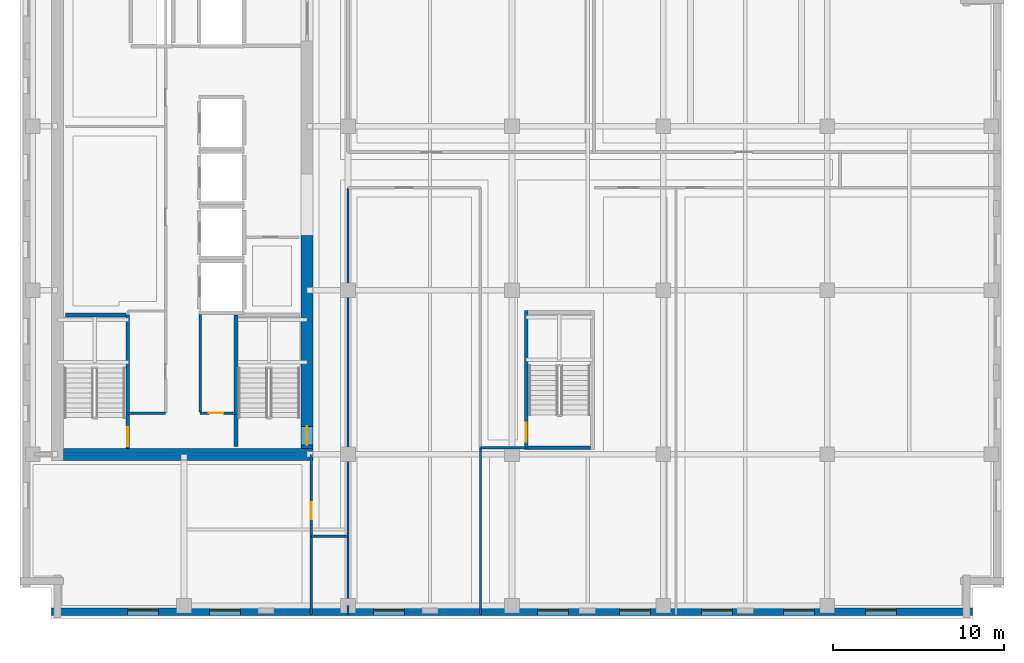
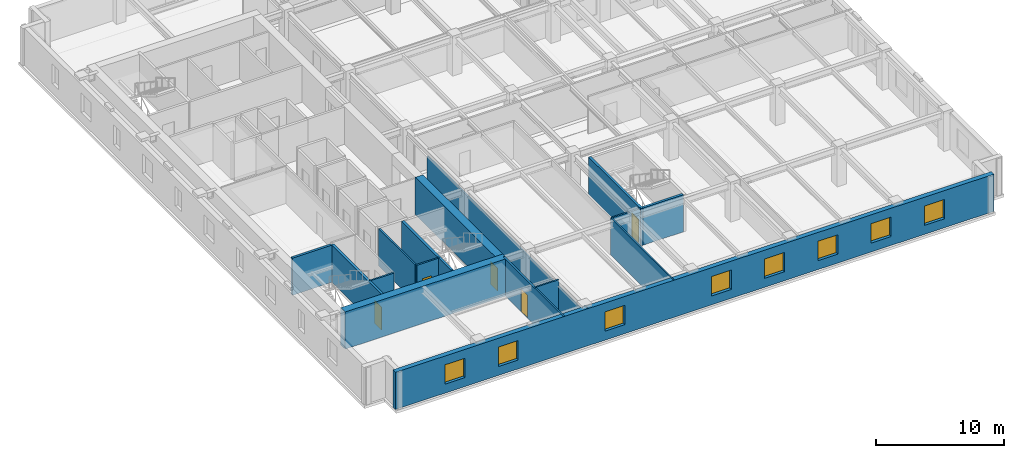
# One storey, part 3 of 14: 17 walls, 8 windows, 5 doors, 13 openings.
"""IFC4 building model written with IfcOpenShell, lengths in metres."""

from ifc_helpers import new_model, si_unit, direction, frame, frame_2d, origin, place, context, subcontext, project, spatial, rectangle, extrude, material, layer, layer_set, type_object, element, fill, save


model = new_model("IFC4")

# Units and contexts
model_context = context("Model", 3, precision=1e-05, world=origin(), true_north=direction((0.0, 1.0)))
body_context = subcontext(model_context, "Body", "Model", "MODEL_VIEW")
ifc_project = project(units=[si_unit("LENGTHUNIT", "METRE"), si_unit("AREAUNIT", "SQUARE_METRE"), si_unit("VOLUMEUNIT", "CUBIC_METRE"), si_unit("PLANEANGLEUNIT", "RADIAN"), si_unit("MASSUNIT", "GRAM", prefix="KILO")], contexts=[model_context])

# Site, building, storey
site_placement = place(None, origin())
site = spatial("IfcSite", under=ifc_project, at=site_placement, CompositionType="ELEMENT")
building_placement = place(site_placement, origin())
building = spatial("IfcBuilding", under=site, at=building_placement, Name="Norrvale University Quadrangle", CompositionType="ELEMENT")
storey_placement = place(building_placement, frame((0.0, 0.0, 218.0)))
storey = spatial("IfcBuildingStorey", under=building, at=storey_placement, Name="L55", CompositionType="ELEMENT", Elevation=218.0)

# Wall, openings, windows
ifc_material_1 = material(Name="Buff Norman Clay Brick Masonry", Category="masonry")
ifc_layer_1 = layer(ifc_material_1, 0.419921875, Name="Buff Norman Clay Brick Masonry")
ifc_layer_set_1 = layer_set([ifc_layer_1], Name="Buff Norman Clay Brick Masonry")
wall_type_1 = type_object("IfcWallType", Name="Wall Buff Brick 420", PredefinedType="SOLIDWALL", material=ifc_layer_set_1)
wall_1_placement = place(storey_placement, frame((1.840087890625, 0.389892578125, 0.0), z_axis=(0.0, 0.0, 1.0), x_axis=(1.0, 0.0, 0.0)))
wall_1 = element("IfcWall", 1, at=wall_1_placement, inside=storey, type_object=wall_type_1, Name="Exterior Brick Facade Wall L55-01.1", PredefinedType="SOLIDWALL", context=body_context, shape_type="SweptSolid", body=[
    extrude(rectangle(XDim=53.919921875, YDim=0.419921875, at=frame_2d((26.9599609375, 0.0))), origin(), (0.0, 0.0, 1.0), 3.5400390625),
])
opening_1_placement = place(wall_1_placement, frame((4.4599609375, 0.0, 0.85009765625)))
opening_1 = element("IfcOpeningElement", 2, at=opening_1_placement, cuts=wall_1, Name="Opening W01", PredefinedType="OPENING", context=body_context, shape_type="SweptSolid", body=[
    extrude(rectangle(XDim=1.800048828125, YDim=1.85009765625, at=frame_2d((0.89990234375, 0.925048828125))), frame((0.0, 0.221923828125, 0.0), z_axis=(0.0, -1.0, 0.0), x_axis=(1.0, 0.0, 0.0)), (0.0, 0.0, 1.0), 0.44384765625),
])
opening_2_placement = place(wall_1_placement, frame((9.260009765625, 0.0, 0.85009765625)))
opening_2 = element("IfcOpeningElement", 3, at=opening_2_placement, cuts=wall_1, Name="Opening W01", PredefinedType="OPENING", context=body_context, shape_type="SweptSolid", body=[
    extrude(rectangle(XDim=1.800048828125, YDim=1.85009765625, at=frame_2d((0.89990234375, 0.925048828125))), frame((0.0, 0.221923828125, 0.0), z_axis=(0.0, -1.0, 0.0), x_axis=(1.0, 0.0, 0.0)), (0.0, 0.0, 1.0), 0.44384765625),
])
opening_3_placement = place(wall_1_placement, frame((18.860107421875, 0.0, 0.85009765625)))
opening_3 = element("IfcOpeningElement", 4, at=opening_3_placement, cuts=wall_1, Name="Opening W01", PredefinedType="OPENING", context=body_context, shape_type="SweptSolid", body=[
    extrude(rectangle(XDim=1.800048828125, YDim=1.85009765625, at=frame_2d((0.89990234375, 0.925048828125))), frame((0.0, 0.221923828125, 0.0), z_axis=(0.0, -1.0, 0.0), x_axis=(1.0, 0.0, 0.0)), (0.0, 0.0, 1.0), 0.44384765625),
])
opening_4_placement = place(wall_1_placement, frame((28.4599609375, 0.0, 0.85009765625)))
opening_4 = element("IfcOpeningElement", 5, at=opening_4_placement, cuts=wall_1, Name="Opening W01", PredefinedType="OPENING", context=body_context, shape_type="SweptSolid", body=[
    extrude(rectangle(XDim=1.800048828125, YDim=1.85009765625, at=frame_2d((0.89990234375, 0.925048828125))), frame((0.0, 0.221923828125, 0.0), z_axis=(0.0, -1.0, 0.0), x_axis=(1.0, 0.0, 0.0)), (0.0, 0.0, 1.0), 0.44384765625),
])
opening_5_placement = place(wall_1_placement, frame((33.260009765625, 0.0, 0.85009765625)))
opening_5 = element("IfcOpeningElement", 6, at=opening_5_placement, cuts=wall_1, Name="Opening W01", PredefinedType="OPENING", context=body_context, shape_type="SweptSolid", body=[
    extrude(rectangle(XDim=1.800048828125, YDim=1.85009765625, at=frame_2d((0.89990234375, 0.925048828125))), frame((0.0, 0.221923828125, 0.0), z_axis=(0.0, -1.0, 0.0), x_axis=(1.0, 0.0, 0.0)), (0.0, 0.0, 1.0), 0.44384765625),
])
opening_6_placement = place(wall_1_placement, frame((38.06005859375, 0.0, 0.85009765625)))
opening_6 = element("IfcOpeningElement", 7, at=opening_6_placement, cuts=wall_1, Name="Opening W01", PredefinedType="OPENING", context=body_context, shape_type="SweptSolid", body=[
    extrude(rectangle(XDim=1.800048828125, YDim=1.85009765625, at=frame_2d((0.89990234375, 0.925048828125))), frame((0.0, 0.221923828125, 0.0), z_axis=(0.0, -1.0, 0.0), x_axis=(1.0, 0.0, 0.0)), (0.0, 0.0, 1.0), 0.44384765625),
])
opening_7_placement = place(wall_1_placement, frame((42.860107421875, 0.0, 0.85009765625)))
opening_7 = element("IfcOpeningElement", 8, at=opening_7_placement, cuts=wall_1, Name="Opening W01", PredefinedType="OPENING", context=body_context, shape_type="SweptSolid", body=[
    extrude(rectangle(XDim=1.800048828125, YDim=1.85009765625, at=frame_2d((0.89990234375, 0.925048828125))), frame((0.0, 0.221923828125, 0.0), z_axis=(0.0, -1.0, 0.0), x_axis=(1.0, 0.0, 0.0)), (0.0, 0.0, 1.0), 0.44384765625),
])
opening_8_placement = place(wall_1_placement, frame((47.659912109375, 0.0, 0.85009765625)))
opening_8 = element("IfcOpeningElement", 9, at=opening_8_placement, cuts=wall_1, Name="Opening W01", PredefinedType="OPENING", context=body_context, shape_type="SweptSolid", body=[
    extrude(rectangle(XDim=1.800048828125, YDim=1.85009765625, at=frame_2d((0.89990234375, 0.925048828125))), frame((0.0, 0.221923828125, 0.0), z_axis=(0.0, -1.0, 0.0), x_axis=(1.0, 0.0, 0.0)), (0.0, 0.0, 1.0), 0.44384765625),
])
ifc_material_2 = material(Name="Triple Low-E Argon Glazing", Category="glass")
window_type = type_object("IfcWindowType", Name="Window Academic 1800x2300", PartitioningType="DOUBLE_PANEL_VERTICAL", PredefinedType="WINDOW", material=ifc_material_2)
window_1_placement = place(opening_1_placement, origin())
window_1 = element("IfcWindow", 10, at=window_1_placement, inside=storey, type_object=window_type, Name="Window Academic 1800x2300 WIN-L55-E01-1-01", OverallHeight=1.85009765625, OverallWidth=1.800048828125, PartitioningType="DOUBLE_PANEL_VERTICAL", PredefinedType="WINDOW", context=body_context, shape_type="SweptSolid", body=[
    extrude(rectangle(XDim=1.800048828125, YDim=1.85009765625, at=frame_2d((0.89990234375, 0.925048828125))), frame((0.0, 0.110107421875, 0.0), z_axis=(0.0, -1.0, 0.0), x_axis=(1.0, 0.0, 0.0)), (0.0, 0.0, 1.0), 0.06005859375),
])
fill(opening_1, window_1)
window_2_placement = place(opening_2_placement, origin())
window_2 = element("IfcWindow", 11, at=window_2_placement, inside=storey, type_object=window_type, Name="Window Academic 1800x2300 WIN-L55-E01-1-02", OverallHeight=1.85009765625, OverallWidth=1.800048828125, PartitioningType="DOUBLE_PANEL_VERTICAL", PredefinedType="WINDOW", context=body_context, shape_type="SweptSolid", body=[
    extrude(rectangle(XDim=1.800048828125, YDim=1.85009765625, at=frame_2d((0.89990234375, 0.925048828125))), frame((0.0, 0.110107421875, 0.0), z_axis=(0.0, -1.0, 0.0), x_axis=(1.0, 0.0, 0.0)), (0.0, 0.0, 1.0), 0.06005859375),
])
fill(opening_2, window_2)
window_3_placement = place(opening_3_placement, origin())
window_3 = element("IfcWindow", 12, at=window_3_placement, inside=storey, type_object=window_type, Name="Window Academic 1800x2300 WIN-L55-E01-1-03", OverallHeight=1.85009765625, OverallWidth=1.800048828125, PartitioningType="DOUBLE_PANEL_VERTICAL", PredefinedType="WINDOW", context=body_context, shape_type="SweptSolid", body=[
    extrude(rectangle(XDim=1.800048828125, YDim=1.85009765625, at=frame_2d((0.89990234375, 0.925048828125))), frame((0.0, 0.110107421875, 0.0), z_axis=(0.0, -1.0, 0.0), x_axis=(1.0, 0.0, 0.0)), (0.0, 0.0, 1.0), 0.06005859375),
])
fill(opening_3, window_3)
window_4_placement = place(opening_4_placement, origin())
window_4 = element("IfcWindow", 13, at=window_4_placement, inside=storey, type_object=window_type, Name="Window Academic 1800x2300 WIN-L55-E01-1-04", OverallHeight=1.85009765625, OverallWidth=1.800048828125, PartitioningType="DOUBLE_PANEL_VERTICAL", PredefinedType="WINDOW", context=body_context, shape_type="SweptSolid", body=[
    extrude(rectangle(XDim=1.800048828125, YDim=1.85009765625, at=frame_2d((0.89990234375, 0.925048828125))), frame((0.0, 0.110107421875, 0.0), z_axis=(0.0, -1.0, 0.0), x_axis=(1.0, 0.0, 0.0)), (0.0, 0.0, 1.0), 0.06005859375),
])
fill(opening_4, window_4)
window_5_placement = place(opening_5_placement, origin())
window_5 = element("IfcWindow", 14, at=window_5_placement, inside=storey, type_object=window_type, Name="Window Academic 1800x2300 WIN-L55-E01-1-05", OverallHeight=1.85009765625, OverallWidth=1.800048828125, PartitioningType="DOUBLE_PANEL_VERTICAL", PredefinedType="WINDOW", context=body_context, shape_type="SweptSolid", body=[
    extrude(rectangle(XDim=1.800048828125, YDim=1.85009765625, at=frame_2d((0.89990234375, 0.925048828125))), frame((0.0, 0.110107421875, 0.0), z_axis=(0.0, -1.0, 0.0), x_axis=(1.0, 0.0, 0.0)), (0.0, 0.0, 1.0), 0.06005859375),
])
fill(opening_5, window_5)
window_6_placement = place(opening_6_placement, origin())
window_6 = element("IfcWindow", 15, at=window_6_placement, inside=storey, type_object=window_type, Name="Window Academic 1800x2300 WIN-L55-E01-1-06", OverallHeight=1.85009765625, OverallWidth=1.800048828125, PartitioningType="DOUBLE_PANEL_VERTICAL", PredefinedType="WINDOW", context=body_context, shape_type="SweptSolid", body=[
    extrude(rectangle(XDim=1.800048828125, YDim=1.85009765625, at=frame_2d((0.89990234375, 0.925048828125))), frame((0.0, 0.110107421875, 0.0), z_axis=(0.0, -1.0, 0.0), x_axis=(1.0, 0.0, 0.0)), (0.0, 0.0, 1.0), 0.06005859375),
])
fill(opening_6, window_6)
window_7_placement = place(opening_7_placement, origin())
window_7 = element("IfcWindow", 16, at=window_7_placement, inside=storey, type_object=window_type, Name="Window Academic 1800x2300 WIN-L55-E01-1-07", OverallHeight=1.85009765625, OverallWidth=1.800048828125, PartitioningType="DOUBLE_PANEL_VERTICAL", PredefinedType="WINDOW", context=body_context, shape_type="SweptSolid", body=[
    extrude(rectangle(XDim=1.800048828125, YDim=1.85009765625, at=frame_2d((0.89990234375, 0.925048828125))), frame((0.0, 0.110107421875, 0.0), z_axis=(0.0, -1.0, 0.0), x_axis=(1.0, 0.0, 0.0)), (0.0, 0.0, 1.0), 0.06005859375),
])
fill(opening_7, window_7)
window_8_placement = place(opening_8_placement, origin())
window_8 = element("IfcWindow", 17, at=window_8_placement, inside=storey, type_object=window_type, Name="Window Academic 1800x2300 WIN-L55-E01-1-08", OverallHeight=1.85009765625, OverallWidth=1.800048828125, PartitioningType="DOUBLE_PANEL_VERTICAL", PredefinedType="WINDOW", context=body_context, shape_type="SweptSolid", body=[
    extrude(rectangle(XDim=1.800048828125, YDim=1.85009765625, at=frame_2d((0.89990234375, 0.925048828125))), frame((0.0, 0.110107421875, 0.0), z_axis=(0.0, -1.0, 0.0), x_axis=(1.0, 0.0, 0.0)), (0.0, 0.0, 1.0), 0.06005859375),
])
fill(opening_8, window_8)

# Wall
ifc_material_3 = material(Name="Concrete C60/75", Category="concrete")
ifc_layer_2 = layer(ifc_material_3, 0.699951171875, Name="Concrete C60/75")
ifc_layer_set_2 = layer_set([ifc_layer_2], Name="Concrete C60/75")
wall_type_2 = type_object("IfcWallType", Name="Wall Core 700", PredefinedType="SHEAR", material=ifc_layer_set_2)
wall_2_placement = place(storey_placement, frame((2.550048828125, 9.60009765625, 0.0), z_axis=(0.0, 0.0, 1.0), x_axis=(1.0, 0.0, 0.0)))
element("IfcWall", 18, at=wall_2_placement, inside=storey, type_object=wall_type_2, Name="Tower Core Shear Wall L55-S", PredefinedType="SHEAR", context=body_context, shape_type="SweptSolid", body=[
    extrude(rectangle(XDim=14.599853515625, YDim=0.699951171875, at=frame_2d((7.2998046875, 0.0))), origin(), (0.0, 0.0, 1.0), 3.5400390625),
])

# Wall, opening, door
wall_3_placement = place(storey_placement, frame((16.800048828125, 9.949951171875, 0.0), z_axis=(0.0, 0.0, 1.0), x_axis=(0.0, 1.0, 0.0)))
wall_3 = element("IfcWall", 19, at=wall_3_placement, inside=storey, type_object=wall_type_2, Name="Tower Core Shear Wall L55-E1", PredefinedType="SHEAR", context=body_context, shape_type="SweptSolid", body=[
    extrude(rectangle(XDim=12.449951171875, YDim=0.699951171875, at=frame_2d((6.22509765625, 0.0))), origin(), (0.0, 0.0, 1.0), 3.5400390625),
])
opening_9_placement = place(wall_3_placement, frame((0.18994140625, 0.0, 0.0)))
opening_9 = element("IfcOpeningElement", 20, at=opening_9_placement, cuts=wall_3, Name="Opening D02", PredefinedType="OPENING", context=body_context, shape_type="SweptSolid", body=[
    extrude(rectangle(XDim=1.10009765625, YDim=2.199951171875, at=frame_2d((0.550048828125, 1.10009765625))), frame((0.0, 0.362060546875, 0.0), z_axis=(0.0, -1.0, 0.0), x_axis=(1.0, 0.0, 0.0)), (0.0, 0.0, 1.0), 0.723876953125),
])
ifc_material_4 = material(Name="Hollow Steel 350W Fire Door", Category="steel")
door_type_1 = type_object("IfcDoorType", Name="Door Stair Exit 1100x2200", OperationType="NOTDEFINED", PredefinedType="DOOR", material=ifc_material_4)
door_1_placement = place(opening_9_placement, origin())
door_1 = element("IfcDoor", 21, at=door_1_placement, inside=storey, type_object=door_type_1, Name="Door Stair Exit 1100x2200 DR-L55-ST03", OperationType="SINGLE_SWING_LEFT", OverallHeight=2.199951171875, OverallWidth=1.10009765625, PredefinedType="DOOR", context=body_context, shape_type="SweptSolid", body=[
    extrude(rectangle(XDim=1.10009765625, YDim=2.199951171875, at=frame_2d((0.550048828125, 1.10009765625))), frame((0.0, 0.02490234375, 0.0), z_axis=(0.0, -1.0, 0.0), x_axis=(1.0, 0.0, 0.0)), (0.0, 0.0, 1.0), 0.050048828125),
])
fill(opening_9, door_1)

# Walls
ifc_material_5 = material(Name="Standard Academic Gypsum Partition")
ifc_layer_3 = layer(ifc_material_5, 0.125, Name="Standard Academic Gypsum Partition")
ifc_layer_set_3 = layer_set([ifc_layer_3], Name="Standard Academic Gypsum Partition")
wall_type_3 = type_object("IfcWallType", Name="Wall Gypsum Academic 125", PredefinedType="PARTITIONING", material=ifc_layer_set_3)
wall_4_placement = place(storey_placement, frame((19.199951171875, 0.219970703125, 0.0), z_axis=(0.0, 0.0, 1.0), x_axis=(0.0, 1.0, 0.0)))
element("IfcWall", 22, at=wall_4_placement, inside=storey, type_object=wall_type_3, Name="Interior Partition WL-L55-SE-W0", PredefinedType="PARTITIONING", context=body_context, shape_type="SweptSolid", body=[
    extrude(rectangle(XDim=0.530029296875, YDim=0.125, at=frame_2d((0.26513671875, 0.0))), origin(), (0.0, 0.0, 1.0), 3.5400390625),
])
wall_5_placement = place(storey_placement, frame((19.199951171875, 0.75, 0.0), z_axis=(0.0, 0.0, 1.0), x_axis=(0.0, 1.0, 0.0)))
element("IfcWall", 23, at=wall_5_placement, inside=storey, type_object=wall_type_3, Name="Interior Partition WL-L55-SE-W0-B2", PredefinedType="PARTITIONING", context=body_context, shape_type="SweptSolid", body=[
    extrude(rectangle(XDim=24.449951171875, YDim=0.125, at=frame_2d((12.22509765625, 0.0))), origin(), (0.0, 0.0, 1.0), 2.924072265625),
])
wall_6_placement = place(storey_placement, frame((26.949951171875, 0.219970703125, 0.0), z_axis=(0.0, 0.0, 1.0), x_axis=(0.0, 1.0, 0.0)))
element("IfcWall", 24, at=wall_6_placement, inside=storey, type_object=wall_type_3, Name="Interior Partition WL-L55-SEP1A", PredefinedType="PARTITIONING", context=body_context, shape_type="SweptSolid", body=[
    extrude(rectangle(XDim=9.780029296875, YDim=0.125, at=frame_2d((4.89013671875, 0.0))), origin(), (0.0, 0.0, 1.0), 3.5400390625),
])

# Wall, opening, door
ifc_material_6 = material(Name="Fire-Rated Gypsum Stud Partition")
ifc_layer_4 = layer(ifc_material_6, 0.14990234375, Name="Fire-Rated Gypsum Stud Partition")
ifc_layer_set_4 = layer_set([ifc_layer_4], Name="Fire-Rated Gypsum Stud Partition")
wall_type_4 = type_object("IfcWallType", Name="Wall Gypsum Corridor 150", PredefinedType="PARTITIONING", material=ifc_layer_set_4)
wall_7_placement = place(storey_placement, frame((10.550048828125, 12.02001953125, 0.0), z_axis=(0.0, 0.0, 1.0), x_axis=(1.0, 0.0, 0.0)))
wall_7 = element("IfcWall", 25, at=wall_7_placement, inside=storey, type_object=wall_type_4, Name="Interior Partition WL-L55-SC-NR", PredefinedType="PARTITIONING", context=body_context, shape_type="SweptSolid", body=[
    extrude(rectangle(XDim=2.079833984375, YDim=0.14990234375, at=frame_2d((1.0400390625, 0.0))), origin(), (0.0, 0.0, 1.0), 3.5400390625),
])
opening_10_placement = place(wall_7_placement, frame((0.5, 0.0, 0.0)))
opening_10 = element("IfcOpeningElement", 26, at=opening_10_placement, cuts=wall_7, Name="Opening D10", PredefinedType="OPENING", context=body_context, shape_type="SweptSolid", body=[
    extrude(rectangle(XDim=0.85009765625, YDim=2.10009765625, at=frame_2d((0.425048828125, 1.050048828125))), frame((0.0, 0.0869140625, 0.0), z_axis=(0.0, -1.0, 0.0), x_axis=(1.0, 0.0, 0.0)), (0.0, 0.0, 1.0), 0.173828125),
])
ifc_material_7 = material(Name="Hollow Steel 350W Riser Fire Door", Category="steel")
door_type_2 = type_object("IfcDoorType", Name="Door Riser 850x2100", OperationType="NOTDEFINED", PredefinedType="DOOR", material=ifc_material_7)
door_2_placement = place(opening_10_placement, origin())
door_2 = element("IfcDoor", 27, at=door_2_placement, inside=storey, type_object=door_type_2, Name="Door Riser 850x2100 DR-L55-IDF", OperationType="SINGLE_SWING_RIGHT", OverallHeight=2.10009765625, OverallWidth=0.85009765625, PredefinedType="DOOR", context=body_context, shape_type="SweptSolid", body=[
    extrude(rectangle(XDim=0.85009765625, YDim=2.10009765625, at=frame_2d((0.425048828125, 1.050048828125))), frame((0.0, 0.02490234375, 0.0), z_axis=(0.0, -1.0, 0.0), x_axis=(1.0, 0.0, 0.0)), (0.0, 0.0, 1.0), 0.050048828125),
])
fill(opening_10, door_2)

# Walls
wall_8_placement = place(storey_placement, frame((10.550048828125, 12.094970703125, 0.0), z_axis=(0.0, 0.0, 1.0), x_axis=(0.0, 1.0, 0.0)))
element("IfcWall", 28, at=wall_8_placement, inside=storey, type_object=wall_type_4, Name="Interior Partition WL-L55-SC-WR", PredefinedType="PARTITIONING", context=body_context, shape_type="SweptSolid", body=[
    extrude(rectangle(XDim=5.679931640625, YDim=0.14990234375, at=frame_2d((2.83984375, 0.0))), origin(), (0.0, 0.0, 1.0), 3.5400390625),
])
wall_9_placement = place(storey_placement, frame((6.320068359375, 12.02001953125, 0.0), z_axis=(0.0, 0.0, 1.0), x_axis=(1.0, 0.0, 0.0)))
element("IfcWall", 29, at=wall_9_placement, inside=storey, type_object=wall_type_4, Name="Interior Partition WL-L55-REC-S", PredefinedType="PARTITIONING", context=body_context, shape_type="SweptSolid", body=[
    extrude(rectangle(XDim=2.199951171875, YDim=0.14990234375, at=frame_2d((1.10009765625, 0.0))), origin(), (0.0, 0.0, 1.0), 3.5400390625),
])
wall_10_placement = place(storey_placement, frame((17.050048828125, 4.800048828125, 0.0), z_axis=(0.0, 0.0, 1.0), x_axis=(1.0, 0.0, 0.0)))
element("IfcWall", 30, at=wall_10_placement, inside=storey, type_object=wall_type_4, Name="Interior Partition WL-L55-CSP-S", PredefinedType="PARTITIONING", context=body_context, shape_type="SweptSolid", body=[
    extrude(rectangle(XDim=2.14990234375, YDim=0.14990234375, at=frame_2d((1.074951171875, 0.0))), origin(), (0.0, 0.0, 1.0), 3.5400390625),
])

# Wall, opening, door
wall_11_placement = place(storey_placement, frame((17.050048828125, 0.219970703125, 0.0), z_axis=(0.0, 0.0, 1.0), x_axis=(0.0, 1.0, 0.0)))
wall_11 = element("IfcWall", 31, at=wall_11_placement, inside=storey, type_object=wall_type_4, Name="Interior Partition WL-L55-SW-E", PredefinedType="PARTITIONING", context=body_context, shape_type="SweptSolid", body=[
    extrude(rectangle(XDim=9.380126953125, YDim=0.14990234375, at=frame_2d((4.68994140625, 0.0))), origin(), (0.0, 0.0, 1.0), 3.5400390625),
])
opening_11_placement = place(wall_11_placement, frame((5.580078125, 0.0, 0.0)))
opening_11 = element("IfcOpeningElement", 32, at=opening_11_placement, cuts=wall_11, Name="Opening D04", PredefinedType="OPENING", context=body_context, shape_type="SweptSolid", body=[
    extrude(rectangle(XDim=1.0, YDim=2.199951171875, at=frame_2d((0.5, 1.10009765625))), frame((0.0, 0.0869140625, 0.0), z_axis=(0.0, -1.0, 0.0), x_axis=(1.0, 0.0, 0.0)), (0.0, 0.0, 1.0), 0.173828125),
])
ifc_material_8 = material(Name="Solid-Core Oak Fire Door", Category="wood")
door_type_3 = type_object("IfcDoorType", Name="Door Corridor 1000x2200", OperationType="NOTDEFINED", PredefinedType="DOOR", material=ifc_material_8)
door_3_placement = place(opening_11_placement, origin())
door_3 = element("IfcDoor", 33, at=door_3_placement, inside=storey, type_object=door_type_3, Name="Door Corridor 1000x2200 DR-L55-SW1", OperationType="SINGLE_SWING_LEFT", OverallHeight=2.199951171875, OverallWidth=1.0, PredefinedType="DOOR", context=body_context, shape_type="SweptSolid", body=[
    extrude(rectangle(XDim=1.0, YDim=2.199951171875, at=frame_2d((0.5, 1.10009765625))), frame((0.0, 0.02490234375, 0.0), z_axis=(0.0, -1.0, 0.0), x_axis=(1.0, 0.0, 0.0)), (0.0, 0.0, 1.0), 0.050048828125),
])
fill(opening_11, door_3)

# Wall
wall_12_placement = place(storey_placement, frame((26.949951171875, 10.0, 0.0), z_axis=(0.0, 0.0, 1.0), x_axis=(1.0, 0.0, 0.0)))
element("IfcWall", 34, at=wall_12_placement, inside=storey, type_object=wall_type_4, Name="Interior Partition WL-L55-SEP1C", PredefinedType="PARTITIONING", context=body_context, shape_type="SweptSolid", body=[
    extrude(rectangle(XDim=2.630126953125, YDim=0.14990234375, at=frame_2d((1.31494140625, 0.0))), origin(), (0.0, 0.0, 1.0), 3.5400390625),
])

# Wall, opening, door
ifc_material_9 = material(Name="Concrete Blockwork 20 MPa Fire Shaft", Category="masonry")
ifc_layer_5 = layer(ifc_material_9, 0.219970703125, Name="Concrete Blockwork 20 MPa Fire Shaft")
ifc_layer_set_5 = layer_set([ifc_layer_5], Name="Concrete Blockwork 20 MPa Fire Shaft")
wall_type_5 = type_object("IfcWallType", Name="Wall Shaft 220", PredefinedType="SOLIDWALL", material=ifc_layer_set_5)
wall_13_placement = place(storey_placement, frame((6.31005859375, 9.949951171875, 0.0), z_axis=(0.0, 0.0, 1.0), x_axis=(0.0, 1.0, 0.0)))
wall_13 = element("IfcWall", 35, at=wall_13_placement, inside=storey, type_object=wall_type_5, Name="Stair ST-01 East Shaft Wall L55", PredefinedType="SOLIDWALL", context=body_context, shape_type="SweptSolid", body=[
    extrude(rectangle(XDim=7.81005859375, YDim=0.219970703125, at=frame_2d((3.905029296875, 0.0))), origin(), (0.0, 0.0, 1.0), 3.5400390625),
])
opening_12_placement = place(wall_13_placement, frame((0.139892578125, 0.0, 0.0)))
opening_12 = element("IfcOpeningElement", 36, at=opening_12_placement, cuts=wall_13, Name="Opening D02", PredefinedType="OPENING", context=body_context, shape_type="SweptSolid", body=[
    extrude(rectangle(XDim=1.10009765625, YDim=2.199951171875, at=frame_2d((0.550048828125, 1.10009765625))), frame((0.0, 0.1220703125, 0.0), z_axis=(0.0, -1.0, 0.0), x_axis=(1.0, 0.0, 0.0)), (0.0, 0.0, 1.0), 0.243896484375),
])
door_4_placement = place(opening_12_placement, origin())
door_4 = element("IfcDoor", 37, at=door_4_placement, inside=storey, type_object=door_type_1, Name="Door Stair Exit 1100x2200 DR-L55-ST01", OperationType="SINGLE_SWING_LEFT", OverallHeight=2.199951171875, OverallWidth=1.10009765625, PredefinedType="DOOR", context=body_context, shape_type="SweptSolid", body=[
    extrude(rectangle(XDim=1.10009765625, YDim=2.199951171875, at=frame_2d((0.550048828125, 1.10009765625))), frame((0.0, 0.02490234375, 0.0), z_axis=(0.0, -1.0, 0.0), x_axis=(1.0, 0.0, 0.0)), (0.0, 0.0, 1.0), 0.050048828125),
])
fill(opening_12, door_4)

# Walls
wall_14_placement = place(storey_placement, frame((2.64990234375, 17.760009765625, 0.0), z_axis=(0.0, 0.0, 1.0), x_axis=(1.0, 0.0, 0.0)))
element("IfcWall", 38, at=wall_14_placement, inside=storey, type_object=wall_type_5, Name="Stair ST-01 North Shaft Wall L55", PredefinedType="SOLIDWALL", context=body_context, shape_type="SweptSolid", body=[
    extrude(rectangle(XDim=3.550048828125, YDim=0.219970703125, at=frame_2d((1.77490234375, 0.0))), origin(), (0.0, 0.0, 1.0), 3.5400390625),
])
wall_15_placement = place(storey_placement, frame((12.639892578125, 10.050048828125, 0.0), z_axis=(0.0, 0.0, 1.0), x_axis=(0.0, 1.0, 0.0)))
element("IfcWall", 39, at=wall_15_placement, inside=storey, type_object=wall_type_5, Name="Stair ST-03 West Shaft Wall L55", PredefinedType="SOLIDWALL", context=body_context, shape_type="SweptSolid", body=[
    extrude(rectangle(XDim=7.7099609375, YDim=0.219970703125, at=frame_2d((3.85498046875, 0.0))), origin(), (0.0, 0.0, 1.0), 3.5400390625),
])
wall_16_placement = place(storey_placement, frame((29.75, 9.989990234375, 0.0), z_axis=(0.0, 0.0, 1.0), x_axis=(1.0, 0.0, 0.0)))
element("IfcWall", 40, at=wall_16_placement, inside=storey, type_object=wall_type_5, Name="Stair ST-04 South Shaft Wall L55", PredefinedType="SOLIDWALL", context=body_context, shape_type="SweptSolid", body=[
    extrude(rectangle(XDim=3.64990234375, YDim=0.219970703125, at=frame_2d((1.824951171875, 0.0))), origin(), (0.0, 0.0, 1.0), 3.5400390625),
])

# Wall, opening, door
wall_17_placement = place(storey_placement, frame((29.639892578125, 9.8798828125, 0.0), z_axis=(0.0, 0.0, 1.0), x_axis=(0.0, 1.0, 0.0)))
wall_17 = element("IfcWall", 41, at=wall_17_placement, inside=storey, type_object=wall_type_5, Name="Stair ST-04 West Shaft Wall L55", PredefinedType="SOLIDWALL", context=body_context, shape_type="SweptSolid", body=[
    extrude(rectangle(XDim=8.14013671875, YDim=0.219970703125, at=frame_2d((4.070068359375, 0.0))), origin(), (0.0, 0.0, 1.0), 3.5400390625),
])
opening_13_placement = place(wall_17_placement, frame((0.469970703125, 0.0, 0.0)))
opening_13 = element("IfcOpeningElement", 42, at=opening_13_placement, cuts=wall_17, Name="Opening D02", PredefinedType="OPENING", context=body_context, shape_type="SweptSolid", body=[
    extrude(rectangle(XDim=1.10009765625, YDim=2.199951171875, at=frame_2d((0.550048828125, 1.10009765625))), frame((0.0, 0.1220703125, 0.0), z_axis=(0.0, -1.0, 0.0), x_axis=(1.0, 0.0, 0.0)), (0.0, 0.0, 1.0), 0.243896484375),
])
door_5_placement = place(opening_13_placement, frame((1.10009765625, 0.0, 0.0), z_axis=(0.0, 0.0, 1.0), x_axis=(-1.0, 0.0, 0.0)))
door_5 = element("IfcDoor", 43, at=door_5_placement, inside=storey, type_object=door_type_1, Name="Door Stair Exit 1100x2200 DR-L55-ST04", OperationType="SINGLE_SWING_RIGHT", OverallHeight=2.199951171875, OverallWidth=1.10009765625, PredefinedType="DOOR", context=body_context, shape_type="SweptSolid", body=[
    extrude(rectangle(XDim=1.10009765625, YDim=2.199951171875, at=frame_2d((0.550048828125, 1.10009765625))), frame((0.0, 0.02490234375, 0.0), z_axis=(0.0, -1.0, 0.0), x_axis=(1.0, 0.0, 0.0)), (0.0, 0.0, 1.0), 0.050048828125),
])
fill(opening_13, door_5)

save(model, "model.ifc")
